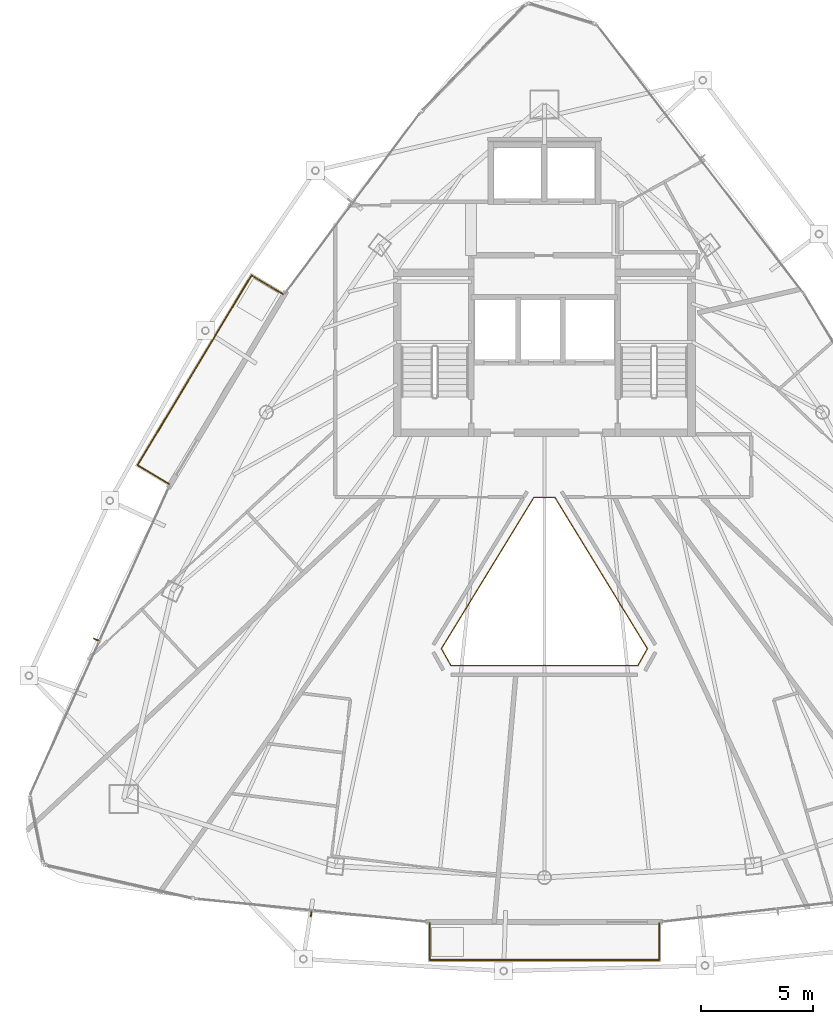
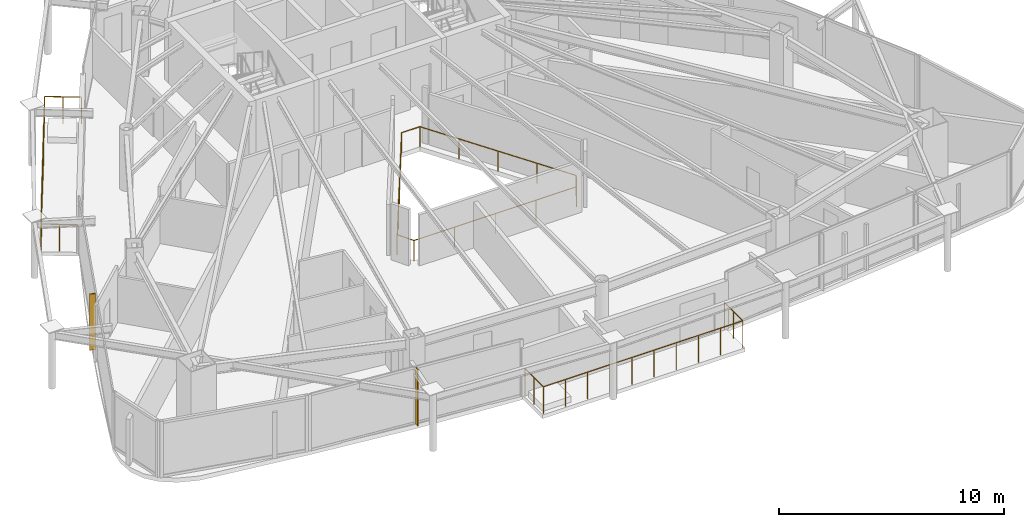
# One storey, part 30 of 32: 3 railings, 2 shading devices.
"""IFC4 building model written with IfcOpenShell, lengths in metres."""

from ifc_helpers import new_model, si_unit, direction, frame, origin, origin_2d, place, context, subcontext, project, spatial, rectangle, circle, extrude, material, layer, layer_set, type_object, element, save


model = new_model("IFC4")

# Units and contexts
model_context = context("Model", 3, precision=1e-05, world=origin(), true_north=direction((0.0, 1.0)))
body_context = subcontext(model_context, "Body", "Model", "MODEL_VIEW")
ifc_project = project(units=[si_unit("LENGTHUNIT", "METRE"), si_unit("AREAUNIT", "SQUARE_METRE"), si_unit("VOLUMEUNIT", "CUBIC_METRE"), si_unit("PLANEANGLEUNIT", "RADIAN"), si_unit("MASSUNIT", "GRAM", prefix="KILO")], contexts=[model_context])

# Site, building, storey
site_placement = place(None, origin())
site = spatial("IfcSite", under=ifc_project, at=site_placement, CompositionType="ELEMENT")
building_placement = place(site_placement, origin())
building = spatial("IfcBuilding", under=site, at=building_placement, Name="Orvanel Arch Residences", CompositionType="ELEMENT")
storey_placement = place(building_placement, frame((0.0, 0.0, 222.800048828125)))
storey = spatial("IfcBuildingStorey", under=building, at=storey_placement, Name="L63", CompositionType="ELEMENT", Elevation=222.800048828125)

# Shading devices
ifc_material = material(Name="Bronze-anodised aluminium AA6063-T6", Category="aluminium")
ifc_layer = layer(ifc_material, 0.050048828125)
ifc_layer_set = layer_set([ifc_layer], Name="Bronze-anodised aluminium AA6063-T6")
shading_device_type = type_object("IfcShadingDeviceType", Name="FIN-BRZ-260", PredefinedType="USERDEFINED", material=ifc_layer_set)
for number, where, z_axis, x_axis, name in (
    (1, (12.970947265625, 17.47607421875, 0.0), (0.0, 0.0, 1.0), (-0.911403276635, 0.411514358605, 0.0), "L63 Anodised Bronze Mullion FIN 01"),
    (2, (22.573974609375, 5.221923828125, 0.0), (0.0, 0.0, 1.0), (-0.099319749744, -0.995055569961, 0.0), "L63 Anodised Bronze Mullion FIN 01"),
):
    element("IfcShadingDevice", number, at=place(storey_placement, frame(where, z_axis=z_axis, x_axis=x_axis)), inside=storey, type_object=shading_device_type, Name=name, ObjectType="FIN", PredefinedType="USERDEFINED", context=body_context, shape_type="SweptSolid", body=[
        extrude(rectangle(XDim=0.260009765625, YDim=0.050048828125, at=origin_2d()), origin(), (0.0, 0.0, 1.0), 3.06005859375),
    ])

# Railings
railing_type_1 = type_object("IfcRailingType", Name="RL-ATR-1120", PredefinedType="BALUSTRADE", material=ifc_material)
railing_1_placement = place(storey_placement, frame((33.466064453125, 23.8369140625, 0.0)))
element("IfcRailing", 3, at=railing_1_placement, inside=storey, type_object=railing_type_1, Name="L63 Atrium Void Protective Balustrade", PredefinedType="BALUSTRADE", context=body_context, shape_type="SweptSolid", body=[
    extrude(circle(Radius=0.02392578125, at=origin_2d()), frame((-0.00146484375, 0.0, 1.09619140625), z_axis=(-1.0, 0.0, 0.0), x_axis=(0.0, -1.0, 0.0)), (0.0, 0.0, 1.0), 0.92919921875),
    extrude(circle(Radius=0.02392578125, at=origin_2d()), frame((-0.932861328125, -0.001220703125, 1.09619140625), z_axis=(-0.521608244305, -0.853185114423, 0.0), x_axis=(0.853185114423, -0.521608244305, 0.0)), (0.0, 0.0, 1.0), 7.922607421875),
    extrude(circle(Radius=0.02392578125, at=origin_2d()), frame((-5.0654296875, -6.76318359375, 1.09619140625), z_axis=(0.489240618961, -0.872148850116, 0.0), x_axis=(0.872148850116, 0.489240618961, 0.0)), (0.0, 0.0, 1.0), 0.871826171875),
    extrude(circle(Radius=0.02392578125, at=origin_2d()), frame((-4.63671875, -7.52490234375, 1.09619140625), z_axis=(1.0, 0.0, 0.0), x_axis=(0.0, 1.0, 0.0)), (0.0, 0.0, 1.0), 8.34130859375),
    extrude(circle(Radius=0.02392578125, at=origin_2d()), frame((3.706787109375, -7.523681640625, 1.09619140625), z_axis=(0.489240618961, 0.872148850116, 0.0), x_axis=(-0.872148850116, 0.489240618961, 0.0)), (0.0, 0.0, 1.0), 0.871826171875),
    extrude(circle(Radius=0.02392578125, at=origin_2d()), frame((4.13330078125, -6.7607421875, 1.09619140625), z_axis=(-0.521608244305, 0.853185114423, 0.0), x_axis=(-0.853185114423, -0.521608244305, 0.0)), (0.0, 0.0, 1.0), 7.922607421875),
    extrude(circle(Radius=0.02099609375, at=origin_2d()), origin(), (0.0, 0.0, 1.0), 1.070068359375),
    extrude(circle(Radius=0.02099609375, at=origin_2d()), frame((-0.93212890625, 0.0, 0.0)), (0.0, 0.0, 1.0), 1.070068359375),
    extrude(circle(Radius=0.02099609375, at=origin_2d()), frame((-1.965576171875, -1.6904296875, 0.0)), (0.0, 0.0, 1.0), 1.070068359375),
    extrude(circle(Radius=0.02099609375, at=origin_2d()), frame((-2.9990234375, -3.380859375, 0.0)), (0.0, 0.0, 1.0), 1.070068359375),
    extrude(circle(Radius=0.02099609375, at=origin_2d()), frame((-4.03271484375, -5.071533203125, 0.0)), (0.0, 0.0, 1.0), 1.070068359375),
    extrude(circle(Radius=0.02099609375, at=origin_2d()), frame((-5.066162109375, -6.761962890625, 0.0)), (0.0, 0.0, 1.0), 1.070068359375),
    extrude(circle(Radius=0.02099609375, at=origin_2d()), frame((-4.63818359375, -7.52490234375, 0.0)), (0.0, 0.0, 1.0), 1.070068359375),
    extrude(circle(Radius=0.02099609375, at=origin_2d()), frame((-2.55224609375, -7.52490234375, 0.0)), (0.0, 0.0, 1.0), 1.070068359375),
    extrude(circle(Radius=0.02099609375, at=origin_2d()), frame((-0.466064453125, -7.52490234375, 0.0)), (0.0, 0.0, 1.0), 1.070068359375),
    extrude(circle(Radius=0.02099609375, at=origin_2d()), frame((1.6201171875, -7.52490234375, 0.0)), (0.0, 0.0, 1.0), 1.070068359375),
    extrude(circle(Radius=0.02099609375, at=origin_2d()), frame((3.7060546875, -7.52490234375, 0.0)), (0.0, 0.0, 1.0), 1.070068359375),
    extrude(circle(Radius=0.02099609375, at=origin_2d()), frame((4.134033203125, -6.761962890625, 0.0)), (0.0, 0.0, 1.0), 1.070068359375),
    extrude(circle(Radius=0.02099609375, at=origin_2d()), frame((3.1005859375, -5.071533203125, 0.0)), (0.0, 0.0, 1.0), 1.070068359375),
    extrude(circle(Radius=0.02099609375, at=origin_2d()), frame((2.06689453125, -3.380859375, 0.0)), (0.0, 0.0, 1.0), 1.070068359375),
    extrude(circle(Radius=0.02099609375, at=origin_2d()), frame((1.033447265625, -1.6904296875, 0.0)), (0.0, 0.0, 1.0), 1.070068359375),
])
railing_type_2 = type_object("IfcRailingType", Name="RL-BAL-1480", PredefinedType="BALUSTRADE", material=ifc_material)
railing_2_placement = place(storey_placement, frame((21.31494140625, 32.919921875, 0.0)))
element("IfcRailing", 4, at=railing_2_placement, inside=storey, type_object=railing_type_2, Name="L63 Balcony Perimeter Guardrail Face 1", PredefinedType="BALUSTRADE", context=body_context, shape_type="SweptSolid", body=[
    extrude(circle(Radius=0.02392578125, at=origin_2d()), frame((-0.001220703125, 0.000732421875, 1.4560546875), z_axis=(-0.857387817543, 0.514670895164, 0.0), x_axis=(-0.514670895164, -0.857387817543, 0.0)), (0.0, 0.0, 1.0), 1.636962890625),
    extrude(circle(Radius=0.02392578125, at=origin_2d()), frame((-1.40673828125, 0.8427734375, 1.4560546875), z_axis=(-0.514401429037, -0.857549514492, 0.0), x_axis=(0.857549514492, -0.514401429037, 0.0)), (0.0, 0.0, 1.0), 9.8935546875),
    extrude(circle(Radius=0.02392578125, at=origin_2d()), frame((-6.49560546875, -7.6435546875, 1.4560546875), z_axis=(0.857545439568, -0.514408222208, 0.0), x_axis=(0.514408222208, 0.857545439568, 0.0)), (0.0, 0.0, 1.0), 1.6376953125),
    extrude(circle(Radius=0.02099609375, at=origin_2d()), origin(), (0.0, 0.0, 1.0), 1.429931640625),
    extrude(circle(Radius=0.02099609375, at=origin_2d()), frame((-0.703125, 0.421875, 0.0)), (0.0, 0.0, 1.0), 1.429931640625),
    extrude(circle(Radius=0.02099609375, at=origin_2d()), frame((-1.406005859375, 0.843994140625, 0.0)), (0.0, 0.0, 1.0), 1.429931640625),
    extrude(circle(Radius=0.02099609375, at=origin_2d()), frame((-1.9716796875, -0.098876953125, 0.0)), (0.0, 0.0, 1.0), 1.429931640625),
    extrude(circle(Radius=0.02099609375, at=origin_2d()), frame((-2.537353515625, -1.0419921875, 0.0)), (0.0, 0.0, 1.0), 1.429931640625),
    extrude(circle(Radius=0.02099609375, at=origin_2d()), frame((-3.10302734375, -1.98486328125, 0.0)), (0.0, 0.0, 1.0), 1.429931640625),
    extrude(circle(Radius=0.02099609375, at=origin_2d()), frame((-3.668701171875, -2.927978515625, 0.0)), (0.0, 0.0, 1.0), 1.429931640625),
    extrude(circle(Radius=0.02099609375, at=origin_2d()), frame((-4.234130859375, -3.870849609375, 0.0)), (0.0, 0.0, 1.0), 1.429931640625),
    extrude(circle(Radius=0.02099609375, at=origin_2d()), frame((-4.7998046875, -4.81396484375, 0.0)), (0.0, 0.0, 1.0), 1.429931640625),
    extrude(circle(Radius=0.02099609375, at=origin_2d()), frame((-5.365478515625, -5.7568359375, 0.0)), (0.0, 0.0, 1.0), 1.429931640625),
    extrude(circle(Radius=0.02099609375, at=origin_2d()), frame((-5.93115234375, -6.699951171875, 0.0)), (0.0, 0.0, 1.0), 1.429931640625),
    extrude(circle(Radius=0.02099609375, at=origin_2d()), frame((-6.496826171875, -7.642822265625, 0.0)), (0.0, 0.0, 1.0), 1.429931640625),
    extrude(circle(Radius=0.02099609375, at=origin_2d()), frame((-5.79345703125, -8.06494140625, 0.0)), (0.0, 0.0, 1.0), 1.429931640625),
    extrude(circle(Radius=0.02099609375, at=origin_2d()), frame((-5.08984375, -8.48681640625, 0.0)), (0.0, 0.0, 1.0), 1.429931640625),
])
railing_3_placement = place(storey_placement, frame((27.8740234375, 4.799072265625, 0.0)))
element("IfcRailing", 5, at=railing_3_placement, inside=storey, type_object=railing_type_2, Name="L63 Balcony Perimeter Guardrail Face 2", PredefinedType="BALUSTRADE", context=body_context, shape_type="SweptSolid", body=[
    extrude(circle(Radius=0.02392578125, at=origin_2d()), frame((0.0, -0.00146484375, 1.4560546875), z_axis=(0.0, -1.0, 0.0), x_axis=(1.0, 0.0, 0.0)), (0.0, 0.0, 1.0), 1.63720703125),
    extrude(circle(Radius=0.02392578125, at=origin_2d()), frame((0.00146484375, -1.64013671875, 1.4560546875), z_axis=(1.0, 0.0, 0.0), x_axis=(0.0, 1.0, 0.0)), (0.0, 0.0, 1.0), 10.2490234375),
    extrude(circle(Radius=0.02392578125, at=origin_2d()), frame((10.251953125, -1.638671875, 1.4560546875), z_axis=(0.0, 1.0, 0.0), x_axis=(-1.0, 0.0, 0.0)), (0.0, 0.0, 1.0), 1.63720703125),
    extrude(circle(Radius=0.02099609375, at=origin_2d()), origin(), (0.0, 0.0, 1.0), 1.429931640625),
    extrude(circle(Radius=0.02099609375, at=origin_2d()), frame((0.0, -0.820068359375, 0.0)), (0.0, 0.0, 1.0), 1.429931640625),
    extrude(circle(Radius=0.02099609375, at=origin_2d()), frame((0.0, -1.64013671875, 0.0)), (0.0, 0.0, 1.0), 1.429931640625),
    extrude(circle(Radius=0.02099609375, at=origin_2d()), frame((1.13916015625, -1.64013671875, 0.0)), (0.0, 0.0, 1.0), 1.429931640625),
    extrude(circle(Radius=0.02099609375, at=origin_2d()), frame((2.2783203125, -1.64013671875, 0.0)), (0.0, 0.0, 1.0), 1.429931640625),
    extrude(circle(Radius=0.02099609375, at=origin_2d()), frame((3.417236328125, -1.64013671875, 0.0)), (0.0, 0.0, 1.0), 1.429931640625),
    extrude(circle(Radius=0.02099609375, at=origin_2d()), frame((4.556396484375, -1.64013671875, 0.0)), (0.0, 0.0, 1.0), 1.429931640625),
    extrude(circle(Radius=0.02099609375, at=origin_2d()), frame((5.695556640625, -1.64013671875, 0.0)), (0.0, 0.0, 1.0), 1.429931640625),
    extrude(circle(Radius=0.02099609375, at=origin_2d()), frame((6.834716796875, -1.64013671875, 0.0)), (0.0, 0.0, 1.0), 1.429931640625),
    extrude(circle(Radius=0.02099609375, at=origin_2d()), frame((7.9736328125, -1.64013671875, 0.0)), (0.0, 0.0, 1.0), 1.429931640625),
    extrude(circle(Radius=0.02099609375, at=origin_2d()), frame((9.11279296875, -1.64013671875, 0.0)), (0.0, 0.0, 1.0), 1.429931640625),
    extrude(circle(Radius=0.02099609375, at=origin_2d()), frame((10.251953125, -1.64013671875, 0.0)), (0.0, 0.0, 1.0), 1.429931640625),
    extrude(circle(Radius=0.02099609375, at=origin_2d()), frame((10.251953125, -0.820068359375, 0.0)), (0.0, 0.0, 1.0), 1.429931640625),
    extrude(circle(Radius=0.02099609375, at=origin_2d()), frame((10.251953125, 0.0, 0.0)), (0.0, 0.0, 1.0), 1.429931640625),
])

save(model, "model.ifc")
